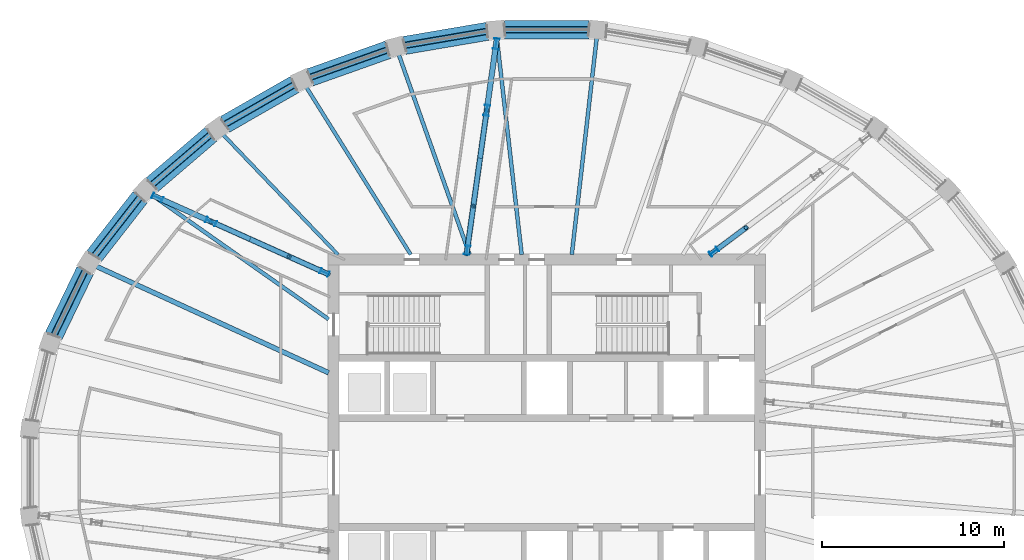
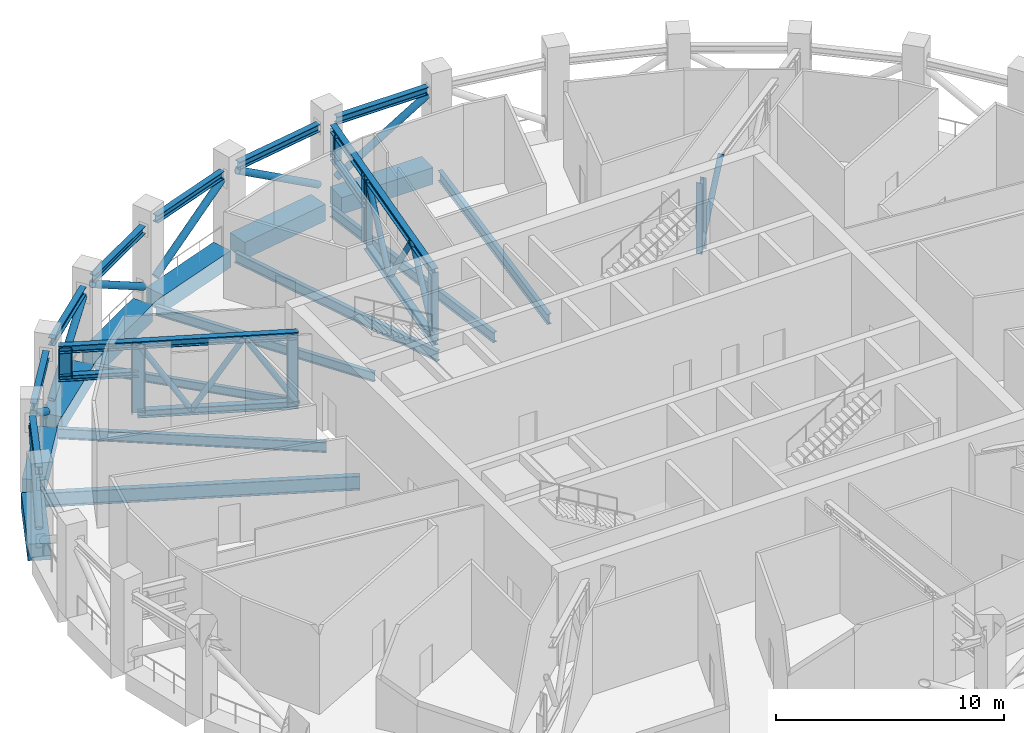
# One storey, part 5 of 20: 34 members, 14 beams.
"""IFC4 building model written with IfcOpenShell, lengths in metres."""

from ifc_helpers import new_model, si_unit, direction, frame, origin, origin_2d, place, context, subcontext, project, spatial, rectangle, hollow_circle, i_section, extrude, material, material_profile, profile_set, type_object, element, save


model = new_model("IFC4")

# Units and contexts
model_context = context("Model", 3, precision=1e-05, world=origin(), true_north=direction((0.0, 1.0)))
body_context = subcontext(model_context, "Body", "Model", "MODEL_VIEW")
ifc_project = project(units=[si_unit("LENGTHUNIT", "METRE"), si_unit("AREAUNIT", "SQUARE_METRE"), si_unit("VOLUMEUNIT", "CUBIC_METRE"), si_unit("PLANEANGLEUNIT", "RADIAN"), si_unit("MASSUNIT", "GRAM", prefix="KILO")], contexts=[model_context])

# Site, building, storey
site_placement = place(None, origin())
site = spatial("IfcSite", under=ifc_project, at=site_placement, CompositionType="ELEMENT")
building_placement = place(site_placement, origin())
building = spatial("IfcBuilding", under=site, at=building_placement, Name="Halqa Exchange Tower", CompositionType="ELEMENT")
storey_placement = place(building_placement, frame((0.0, 0.0, 328.300048828125)))
storey = spatial("IfcBuildingStorey", under=building, at=storey_placement, Name="L77", CompositionType="ELEMENT", Elevation=328.300048828125)

# Members
ifc_material_1 = material(Name="Steel S355", Category="steel")
ifc_material_profile_1 = material_profile(ifc_material_1, i_section(OverallWidth=0.300048828125, OverallDepth=0.39990234375, WebThickness=0.013427734375, FlangeThickness=0.02392578125, FilletRadius=0.027099609375, at=origin_2d()), Name="HEB 400")
ifc_profile_set_1 = profile_set([ifc_material_profile_1], Name="Steel S355")
member_type_1 = type_object("IfcMemberType", Name="Belt truss chord HEB 400", PredefinedType="CHORD", material=ifc_profile_set_1)
member_1_placement = place(storey_placement, frame((2.319580078125, 24.31103515625, 3.89990234375), z_axis=(-1.0, 0.0, 0.0), x_axis=(0.0, -1.0, 0.0)))
element("IfcMember", 1, at=member_1_placement, inside=storey, type_object=member_type_1, Name="Belt chord 8", PredefinedType="CHORD", context=body_context, shape_type="SweptSolid", body=[
    extrude(i_section(OverallWidth=0.300048828125, OverallDepth=0.39990234375, WebThickness=0.013427734375, FlangeThickness=0.02392578125, FilletRadius=0.027099609375, at=origin_2d()), origin(), (0.0, 0.0, 1.0), 4.63916015625),
])
member_2_placement = place(storey_placement, frame((-3.260986328125, 24.231201171875, 3.89990234375), z_axis=(-0.985773042695, -0.168081849987, 0.0), x_axis=(0.168081849987, -0.985773042695, 0.0)))
element("IfcMember", 2, at=member_2_placement, inside=storey, type_object=member_type_1, Name="Belt chord 9", PredefinedType="CHORD", context=body_context, shape_type="SweptSolid", body=[
    extrude(i_section(OverallWidth=0.300048828125, OverallDepth=0.39990234375, WebThickness=0.013427734375, FlangeThickness=0.02392578125, FilletRadius=0.027099609375, at=origin_2d()), origin(), (0.0, 0.0, 1.0), 4.6103515625),
])
member_3_placement = place(storey_placement, frame((-8.72021484375, 23.218017578125, 3.89990234375), z_axis=(-0.942357563156, -0.334607565908, 0.0), x_axis=(0.334607565908, -0.942357563156, 0.0)))
element("IfcMember", 3, at=member_3_placement, inside=storey, type_object=member_type_1, Name="Belt chord 10", PredefinedType="CHORD", context=body_context, shape_type="SweptSolid", body=[
    extrude(i_section(OverallWidth=0.300048828125, OverallDepth=0.39990234375, WebThickness=0.013427734375, FlangeThickness=0.02392578125, FilletRadius=0.027099609375, at=origin_2d()), origin(), (0.0, 0.0, 1.0), 4.528076171875),
])
member_4_placement = place(storey_placement, frame((-13.845458984375, 21.308837890625, 3.89990234375), z_axis=(-0.867758571209, -0.496985977764, 0.0), x_axis=(0.496985977764, -0.867758571209, 0.0)))
element("IfcMember", 4, at=member_4_placement, inside=storey, type_object=member_type_1, Name="Belt chord 11", PredefinedType="CHORD", context=body_context, shape_type="SweptSolid", body=[
    extrude(i_section(OverallWidth=0.300048828125, OverallDepth=0.39990234375, WebThickness=0.013427734375, FlangeThickness=0.02392578125, FilletRadius=0.027099609375, at=origin_2d()), origin(), (0.0, 0.0, 1.0), 4.406494140625),
])
member_5_placement = place(storey_placement, frame((-18.440185546875, 18.574951171875, 3.89990234375), z_axis=(-0.75928090671, -0.650763017315, 0.0), x_axis=(0.650763017315, -0.75928090671, 0.0)))
element("IfcMember", 5, at=member_5_placement, inside=storey, type_object=member_type_1, Name="Belt chord 12", PredefinedType="CHORD", context=body_context, shape_type="SweptSolid", body=[
    extrude(i_section(OverallWidth=0.300048828125, OverallDepth=0.39990234375, WebThickness=0.013427734375, FlangeThickness=0.02392578125, FilletRadius=0.027099609375, at=origin_2d()), origin(), (0.0, 0.0, 1.0), 4.25439453125),
])
member_6_placement = place(storey_placement, frame((-22.322998046875, 15.122314453125, 3.89990234375), z_axis=(-0.614855529737, -0.78863976412, 0.0), x_axis=(0.78863976412, -0.614855529737, 0.0)))
element("IfcMember", 6, at=member_6_placement, inside=storey, type_object=member_type_1, Name="Belt chord 13", PredefinedType="CHORD", context=body_context, shape_type="SweptSolid", body=[
    extrude(i_section(OverallWidth=0.300048828125, OverallDepth=0.39990234375, WebThickness=0.013427734375, FlangeThickness=0.02392578125, FilletRadius=0.027099609375, at=origin_2d()), origin(), (0.0, 0.0, 1.0), 4.099365234375),
])
member_7_placement = place(storey_placement, frame((-25.34130859375, 11.08837890625, 3.89990234375), z_axis=(-0.435102095342, -0.900381122986, 0.0), x_axis=(0.900381122986, -0.435102095342, 0.0)))
element("IfcMember", 7, at=member_7_placement, inside=storey, type_object=member_type_1, Name="Belt chord 14", PredefinedType="CHORD", context=body_context, shape_type="SweptSolid", body=[
    extrude(i_section(OverallWidth=0.300048828125, OverallDepth=0.39990234375, WebThickness=0.013427734375, FlangeThickness=0.02392578125, FilletRadius=0.027099609375, at=origin_2d()), origin(), (0.0, 0.0, 1.0), 3.96435546875),
])
ifc_material_profile_2 = material_profile(ifc_material_1, hollow_circle(Radius=0.177734375, WallThickness=0.02001953125, at=origin_2d()), Name="CHS 355.6x20")
ifc_profile_set_2 = profile_set([ifc_material_profile_2], Name="Steel S355")
member_type_2 = type_object("IfcMemberType", Name="Belt truss diagonal CHS 355.6x20", PredefinedType="BRACE", material=ifc_profile_set_2)
member_8_placement = place(storey_placement, frame((2.319091796875, 24.31103515625, 3.611328125), z_axis=(-0.854238494111, 0.0, -0.519881327977), x_axis=(0.0, -1.0, 0.0)))
element("IfcMember", 8, at=member_8_placement, inside=storey, type_object=member_type_2, Name="Belt diagonal 8", PredefinedType="BRACE", context=body_context, shape_type="SweptSolid", body=[
    extrude(hollow_circle(Radius=0.177734375, WallThickness=0.02001953125, at=origin_2d()), origin(), (0.0, 0.0, 1.0), 5.4296875),
])
member_9_placement = place(storey_placement, frame((-3.26123046875, 24.231201171875, 0.7900390625), z_axis=(-0.840929853299, -0.14336290697, 0.521808450234), x_axis=(0.16805670886, -0.98577732912, 0.0)))
element("IfcMember", 9, at=member_9_placement, inside=storey, type_object=member_type_2, Name="Belt diagonal 9", PredefinedType="BRACE", context=body_context, shape_type="SweptSolid", body=[
    extrude(hollow_circle(Radius=0.177734375, WallThickness=0.02001953125, at=origin_2d()), origin(), (0.0, 0.0, 1.0), 5.403564453125),
])
member_10_placement = place(storey_placement, frame((-8.71875, 23.218505859375, 3.6064453125), z_axis=(-0.80064623443, -0.284277479463, -0.527401101594), x_axis=(0.33459508249, -0.942361995612, 0.0)))
element("IfcMember", 10, at=member_10_placement, inside=storey, type_object=member_type_2, Name="Belt diagonal 10", PredefinedType="BRACE", context=body_context, shape_type="SweptSolid", body=[
    extrude(hollow_circle(Radius=0.177734375, WallThickness=0.02001953125, at=origin_2d()), origin(), (0.0, 0.0, 1.0), 5.333251953125),
])
member_11_placement = place(storey_placement, frame((-13.845947265625, 21.30859375, 0.80078125), z_axis=(-0.73252115506, -0.419499118497, 0.536128013603), x_axis=(0.49695638513, -0.867775518944, 0.0)))
element("IfcMember", 11, at=member_11_placement, inside=storey, type_object=member_type_2, Name="Belt diagonal 11", PredefinedType="BRACE", context=body_context, shape_type="SweptSolid", body=[
    extrude(hollow_circle(Radius=0.177734375, WallThickness=0.02001953125, at=origin_2d()), origin(), (0.0, 0.0, 1.0), 5.218505859375),
])
member_12_placement = place(storey_placement, frame((-18.44091796875, 18.574462890625, 3.589599609375), z_axis=(-0.635586053548, -0.544801769902, -0.547011334477), x_axis=(0.650800824184, -0.75924850164, 0.0)))
element("IfcMember", 12, at=member_12_placement, inside=storey, type_object=member_type_2, Name="Belt diagonal 12", PredefinedType="BRACE", context=body_context, shape_type="SweptSolid", body=[
    extrude(hollow_circle(Radius=0.177734375, WallThickness=0.02001953125, at=origin_2d()), origin(), (0.0, 0.0, 1.0), 5.082763671875),
])
member_13_placement = place(storey_placement, frame((-22.322509765625, 15.123291015625, 0.8193359375), z_axis=(-0.50993340575, -0.654174958089, 0.558590230768), x_axis=(0.788691154444, -0.614789608648, 0.0)))
element("IfcMember", 13, at=member_13_placement, inside=storey, type_object=member_type_2, Name="Belt diagonal 13", PredefinedType="BRACE", context=body_context, shape_type="SweptSolid", body=[
    extrude(hollow_circle(Radius=0.177734375, WallThickness=0.02001953125, at=origin_2d()), origin(), (0.0, 0.0, 1.0), 4.9423828125),
])
member_14_placement = place(storey_placement, frame((-25.341796875, 11.08740234375, 3.57080078125), z_axis=(-0.357783030939, -0.740434616264, -0.568988472475), x_axis=(0.900393591265, -0.435076293091, 0.0)))
element("IfcMember", 14, at=member_14_placement, inside=storey, type_object=member_type_2, Name="Belt diagonal 14", PredefinedType="BRACE", context=body_context, shape_type="SweptSolid", body=[
    extrude(hollow_circle(Radius=0.177734375, WallThickness=0.02001953125, at=origin_2d()), origin(), (0.0, 0.0, 1.0), 4.8203125),
])

# Beams
ifc_material_profile_3 = material_profile(ifc_material_1, i_section(OverallWidth=0.18994140625, OverallDepth=0.449951171875, WebThickness=0.009521484375, FlangeThickness=0.0146484375, FilletRadius=0.02099609375, at=origin_2d()), Name="IPE 450")
ifc_profile_set_3 = profile_set([ifc_material_profile_3], Name="Steel S355")
beam_type_1 = type_object("IfcBeamType", Name="Floor beam IPE 450", PredefinedType="BEAM", material=ifc_profile_set_3)
beam_1_placement = place(storey_placement, frame((-11.462890625, 11.97216796875, -0.574951171875), z_axis=(-0.6915759213, 0.722303776175, 0.0), x_axis=(-0.722303776175, -0.6915759213, 0.0)))
element("IfcBeam", 15, at=beam_1_placement, inside=storey, type_object=beam_type_1, Name="Radial beam 12", PredefinedType="BEAM", context=body_context, shape_type="SweptSolid", body=[
    extrude(i_section(OverallWidth=0.18994140625, OverallDepth=0.449951171875, WebThickness=0.009521484375, FlangeThickness=0.0146484375, FilletRadius=0.02099609375, at=origin_2d()), origin(), (0.0, 0.0, 1.0), 9.192626953125),
])
ifc_material_profile_4 = material_profile(ifc_material_1, i_section(OverallWidth=0.199951171875, OverallDepth=0.5, WebThickness=0.01025390625, FlangeThickness=0.01611328125, FilletRadius=0.02099609375, at=origin_2d()), Name="IPE 500")
ifc_profile_set_4 = profile_set([ifc_material_profile_4], Name="Steel S355")
beam_type_2 = type_object("IfcBeamType", Name="Floor beam IPE 500", PredefinedType="BEAM", material=ifc_profile_set_4)
beam_2_placement = place(storey_placement, frame((-7.4658203125, 11.97216796875, -0.60009765625), z_axis=(-0.529137326003, 0.848536204431, 0.0), x_axis=(-0.848536204431, -0.529137326003, 0.0)))
element("IfcBeam", 16, at=beam_2_placement, inside=storey, type_object=beam_type_2, Name="Radial beam 11", PredefinedType="BEAM", context=body_context, shape_type="SweptSolid", body=[
    extrude(i_section(OverallWidth=0.199951171875, OverallDepth=0.5, WebThickness=0.01025390625, FlangeThickness=0.01611328125, FilletRadius=0.02099609375, at=origin_2d()), origin(), (0.0, 0.0, 1.0), 10.904541015625),
])
ifc_material_profile_5 = material_profile(ifc_material_1, i_section(OverallWidth=0.2099609375, OverallDepth=0.550048828125, WebThickness=0.010986328125, FlangeThickness=0.01708984375, FilletRadius=0.02392578125, at=origin_2d()), Name="IPE 550")
ifc_profile_set_5 = profile_set([ifc_material_profile_5], Name="Steel S355")
beam_type_3 = type_object("IfcBeamType", Name="Floor beam IPE 550", PredefinedType="BEAM", material=ifc_profile_set_5)
for number, where, z_axis, x_axis, name in (
    (17, (1.37548828125, 11.9716796875, -0.625), (0.114162628095, 0.993462074941, 0.0), (-0.993462074941, 0.114162628095, 0.0), "Radial beam 8"),
    (18, (-1.37548828125, 11.9716796875, -0.625), (-0.114162628095, 0.993462074941, 0.0), (-0.993462074941, -0.114162628095, 0.0), "Radial beam 9"),
):
    element("IfcBeam", number, at=place(storey_placement, frame(where, z_axis=z_axis, x_axis=x_axis)), inside=storey, type_object=beam_type_3, Name=name, PredefinedType="BEAM", context=body_context, shape_type="SweptSolid", body=[
        extrude(i_section(OverallWidth=0.2099609375, OverallDepth=0.550048828125, WebThickness=0.010986328125, FlangeThickness=0.01708984375, FilletRadius=0.02392578125, at=origin_2d()), origin(), (0.0, 0.0, 1.0), 12.048583984375),
    ])
beam_3_placement = place(storey_placement, frame((-4.23681640625, 11.971923828125, -0.625), z_axis=(-0.333622781905, 0.942706656067, 0.0), x_axis=(-0.942706656067, -0.333622781905, 0.0)))
element("IfcBeam", 19, at=beam_3_placement, inside=storey, type_object=beam_type_3, Name="Radial beam 10", PredefinedType="BEAM", context=body_context, shape_type="SweptSolid", body=[
    extrude(i_section(OverallWidth=0.2099609375, OverallDepth=0.550048828125, WebThickness=0.010986328125, FlangeThickness=0.01708984375, FilletRadius=0.02392578125, at=origin_2d()), origin(), (0.0, 0.0, 1.0), 11.723876953125),
])
beam_4_placement = place(storey_placement, frame((-11.97265625, 8.422119140625, -0.625), z_axis=(-0.817914568296, 0.57533969007, 0.0), x_axis=(-0.57533969007, -0.817914568296, 0.0)))
element("IfcBeam", 20, at=beam_4_placement, inside=storey, type_object=beam_type_3, Name="Radial beam 13", PredefinedType="BEAM", context=body_context, shape_type="SweptSolid", body=[
    extrude(i_section(OverallWidth=0.2099609375, OverallDepth=0.550048828125, WebThickness=0.010986328125, FlangeThickness=0.01708984375, FilletRadius=0.02392578125, at=origin_2d()), origin(), (0.0, 0.0, 1.0), 11.92138671875),
])
ifc_material_profile_6 = material_profile(ifc_material_1, i_section(OverallWidth=0.264892578125, OverallDepth=0.7529296875, WebThickness=0.01318359375, FlangeThickness=0.01708984375, FilletRadius=0.01708984375, at=origin_2d()), Name="IPE 750x147")
ifc_profile_set_6 = profile_set([ifc_material_profile_6], Name="Steel S355")
beam_type_4 = type_object("IfcBeamType", Name="Floor beam IPE 750x147", PredefinedType="BEAM", material=ifc_profile_set_6)
beam_5_placement = place(storey_placement, frame((-11.972412109375, 5.485107421875, -0.7265625), z_axis=(-0.909126834486, 0.416519385884, 0.0), x_axis=(-0.416519385884, -0.909126834486, 0.0)))
element("IfcBeam", 21, at=beam_5_placement, inside=storey, type_object=beam_type_4, Name="Radial beam 14", PredefinedType="BEAM", context=body_context, shape_type="SweptSolid", body=[
    extrude(i_section(OverallWidth=0.264892578125, OverallDepth=0.7529296875, WebThickness=0.01318359375, FlangeThickness=0.01708984375, FilletRadius=0.01708984375, at=origin_2d()), origin(), (0.0, 0.0, 1.0), 14.10205078125),
])

# Members
ifc_material_profile_7 = material_profile(ifc_material_1, i_section(OverallWidth=0.300048828125, OverallDepth=0.39990234375, WebThickness=0.013427734375, FlangeThickness=0.02392578125, FilletRadius=0.027099609375, at=origin_2d()), Name="HEB 400")
ifc_profile_set_7 = profile_set([ifc_material_profile_7], Name="Steel S355")
member_type_3 = type_object("IfcMemberType", Name="Outrigger chord HEB 400", PredefinedType="CHORD", material=ifc_profile_set_7)
member_15_placement = place(storey_placement, frame((-4.40380859375, 11.973388671875, 0.199951171875), z_axis=(0.138874002875, 0.990310058177, 0.0), x_axis=(-0.990310058177, 0.138874002875, 0.0)))
element("IfcMember", 22, at=member_15_placement, inside=storey, type_object=member_type_3, Name="Outrigger 3 chord", PredefinedType="CHORD", context=body_context, shape_type="SweptSolid", body=[
    extrude(i_section(OverallWidth=0.300048828125, OverallDepth=0.39990234375, WebThickness=0.013427734375, FlangeThickness=0.02392578125, FilletRadius=0.027099609375, at=origin_2d()), origin(), (0.0, 0.0, 1.0), 8.025390625),
])
member_16_placement = place(storey_placement, frame((-4.40380859375, 11.973388671875, 3.89990234375), z_axis=(0.138879619364, 0.990309270544, 0.0), x_axis=(-0.990309270544, 0.138879619364, 0.0)))
element("IfcMember", 23, at=member_16_placement, inside=storey, type_object=member_type_3, Name="Outrigger 3 chord", PredefinedType="CHORD", context=body_context, shape_type="SweptSolid", body=[
    extrude(i_section(OverallWidth=0.300048828125, OverallDepth=0.39990234375, WebThickness=0.013427734375, FlangeThickness=0.02392578125, FilletRadius=0.027099609375, at=origin_2d()), origin(), (0.0, 0.0, 1.0), 11.98388671875),
])
member_17_placement = place(storey_placement, frame((-11.975341796875, 10.888916015625, 0.199951171875), z_axis=(-0.912438055598, 0.40921485151, 0.0), x_axis=(-0.40921485151, -0.912438055598, 0.0)))
element("IfcMember", 24, at=member_17_placement, inside=storey, type_object=member_type_3, Name="Outrigger 4 chord", PredefinedType="CHORD", context=body_context, shape_type="SweptSolid", body=[
    extrude(i_section(OverallWidth=0.300048828125, OverallDepth=0.39990234375, WebThickness=0.013427734375, FlangeThickness=0.02392578125, FilletRadius=0.027099609375, at=origin_2d()), origin(), (0.0, 0.0, 1.0), 7.100341796875),
])
member_18_placement = place(storey_placement, frame((-11.975341796875, 10.888916015625, 3.89990234375), z_axis=(-0.912437247056, 0.409216654335, 0.0), x_axis=(-0.409216654335, -0.912437247056, 0.0)))
element("IfcMember", 25, at=member_18_placement, inside=storey, type_object=member_type_3, Name="Outrigger 4 chord", PredefinedType="CHORD", context=body_context, shape_type="SweptSolid", body=[
    extrude(i_section(OverallWidth=0.300048828125, OverallDepth=0.39990234375, WebThickness=0.013427734375, FlangeThickness=0.02392578125, FilletRadius=0.027099609375, at=origin_2d()), origin(), (0.0, 0.0, 1.0), 10.59619140625),
])
ifc_material_profile_8 = material_profile(ifc_material_1, hollow_circle(Radius=0.136474609375, WallThickness=0.01611328125, at=origin_2d()), Name="CHS 273x16")
ifc_profile_set_8 = profile_set([ifc_material_profile_8], Name="Steel S355")
member_type_4 = type_object("IfcMemberType", Name="Outrigger diagonal CHS 273x16", PredefinedType="BRACE", material=ifc_profile_set_8)
member_19_placement = place(storey_placement, frame((9.0, 12.0, 0.199951171875), z_axis=(0.431308030673, 0.322384752436, 0.842639575426), x_axis=(-0.598696248139, 0.80097615599, 0.0)))
element("IfcMember", 26, at=member_19_placement, inside=storey, type_object=member_type_4, Name="Outrigger 2 diagonal", PredefinedType="BRACE", context=body_context, shape_type="SweptSolid", body=[
    extrude(hollow_circle(Radius=0.136474609375, WallThickness=0.01611328125, at=origin_2d()), origin(), (0.0, 0.0, 1.0), 4.509765625),
])
for number, where, z_axis, x_axis, name in (
    (27, (-4.39990234375, 12.0, 0.199951171875), (0.08098385778, 0.577659840606, 0.81225040679), (-0.990315486935, 0.13883528491, 0.0), "Outrigger 3 diagonal"),
    (28, (-4.031005859375, 14.63134765625, 3.89990234375), (0.08098385778, 0.577659840606, -0.81225040679), (-0.990315486935, 0.13883528491, 0.0), "Outrigger 3 diagonal"),
    (29, (-3.662109375, 17.2626953125, 0.199951171875), (0.081037102129, 0.577657332502, 0.812246880133), (-0.990302849929, 0.138925395165, 0.0), "Outrigger 3 diagonal"),
):
    element("IfcMember", number, at=place(storey_placement, frame(where, z_axis=z_axis, x_axis=x_axis)), inside=storey, type_object=member_type_4, Name=name, PredefinedType="BRACE", context=body_context, shape_type="SweptSolid", body=[
        extrude(hollow_circle(Radius=0.136474609375, WallThickness=0.01611328125, at=origin_2d()), origin(), (0.0, 0.0, 1.0), 4.55517578125),
    ])
for number, where, z_axis, x_axis, name in (
    (30, (-12.0, 10.89990234375, 0.199951171875), (-0.489006267232, 0.219323043301, 0.844257231704), (-0.409231985706, -0.912430370974, 0.0), "Outrigger 4 diagonal"),
    (31, (-14.14306640625, 11.861083984375, 3.89990234375), (-0.489006267232, 0.219323043301, -0.844257231704), (-0.409231985706, -0.912430370974, 0.0), "Outrigger 4 diagonal"),
    (32, (-16.2861328125, 12.822265625, 0.199951171875), (-0.489006267232, 0.219323043301, 0.844257231704), (-0.409231985706, -0.912430370974, 0.0), "Outrigger 4 diagonal"),
):
    element("IfcMember", number, at=place(storey_placement, frame(where, z_axis=z_axis, x_axis=x_axis)), inside=storey, type_object=member_type_4, Name=name, PredefinedType="BRACE", context=body_context, shape_type="SweptSolid", body=[
        extrude(hollow_circle(Radius=0.136474609375, WallThickness=0.01611328125, at=origin_2d()), origin(), (0.0, 0.0, 1.0), 4.382568359375),
    ])
ifc_material_profile_9 = material_profile(ifc_material_1, i_section(OverallWidth=0.300048828125, OverallDepth=0.300048828125, WebThickness=0.010986328125, FlangeThickness=0.01904296875, FilletRadius=0.027099609375, at=origin_2d()), Name="HEB 300")
ifc_profile_set_9 = profile_set([ifc_material_profile_9], Name="Steel S355")
member_type_5 = type_object("IfcMemberType", Name="Outrigger opening chord HEB 300", PredefinedType="CHORD", material=ifc_profile_set_9)
member_20_placement = place(storey_placement, frame((-3.29296875, 19.89404296875, 2.349853515625), z_axis=(0.138865322045, 0.990311275475, 0.0), x_axis=(-0.990311275475, 0.138865322045, 0.0)))
element("IfcMember", 33, at=member_20_placement, inside=storey, type_object=member_type_5, Name="Outrigger 3 opening chord", PredefinedType="CHORD", context=body_context, shape_type="SweptSolid", body=[
    extrude(i_section(OverallWidth=0.300048828125, OverallDepth=0.300048828125, WebThickness=0.010986328125, FlangeThickness=0.01904296875, FilletRadius=0.027099609375, at=origin_2d()), origin(), (0.0, 0.0, 1.0), 3.985595703125),
])
member_21_placement = place(storey_placement, frame((-18.42919921875, 13.783447265625, 2.349853515625), z_axis=(-0.912443308256, 0.409203139307, 0.0), x_axis=(-0.409203139307, -0.912443308256, 0.0)))
element("IfcMember", 34, at=member_21_placement, inside=storey, type_object=member_type_5, Name="Outrigger 4 opening chord", PredefinedType="CHORD", context=body_context, shape_type="SweptSolid", body=[
    extrude(i_section(OverallWidth=0.300048828125, OverallDepth=0.300048828125, WebThickness=0.010986328125, FlangeThickness=0.01904296875, FilletRadius=0.027099609375, at=origin_2d()), origin(), (0.0, 0.0, 1.0), 3.52294921875),
])
ifc_material_profile_10 = material_profile(ifc_material_1, i_section(OverallWidth=0.300048828125, OverallDepth=0.5, WebThickness=0.014404296875, FlangeThickness=0.028076171875, FilletRadius=0.027099609375, at=origin_2d()), Name="HEB 500")
ifc_profile_set_10 = profile_set([ifc_material_profile_10], Name="Steel S355")
member_type_6 = type_object("IfcMemberType", Name="Outrigger post HEB 500", PredefinedType="POST", material=ifc_profile_set_10)
member_22_placement = place(storey_placement, frame((9.1787109375, 12.133544921875, 0.199951171875), z_axis=(0.0, 0.0, 1.0), x_axis=(-0.598324600571, 0.801253812691, 0.0)))
element("IfcMember", 35, at=member_22_placement, inside=storey, type_object=member_type_6, Name="Outrigger 2 post", PredefinedType="POST", context=body_context, shape_type="SweptSolid", body=[
    extrude(i_section(OverallWidth=0.300048828125, OverallDepth=0.5, WebThickness=0.014404296875, FlangeThickness=0.028076171875, FilletRadius=0.027099609375, at=origin_2d()), origin(), (0.0, 0.0, 1.0), 3.800048828125),
])
for number, where, z_axis, x_axis, name in (
    (36, (-4.368896484375, 12.220703125, 0.199951171875), (0.0, 0.0, 1.0), (-0.990231599373, 0.139432347762, 0.0), "Outrigger 3 post"),
    (37, (-12.20361328125, 10.9912109375, 0.199951171875), (0.0, 0.0, 1.0), (-0.408776506539, -0.912634520332, 0.0), "Outrigger 4 post"),
):
    element("IfcMember", number, at=place(storey_placement, frame(where, z_axis=z_axis, x_axis=x_axis)), inside=storey, type_object=member_type_6, Name=name, PredefinedType="POST", context=body_context, shape_type="SweptSolid", body=[
        extrude(i_section(OverallWidth=0.300048828125, OverallDepth=0.5, WebThickness=0.014404296875, FlangeThickness=0.028076171875, FilletRadius=0.027099609375, at=origin_2d()), origin(), (0.0, 0.0, 1.0), 3.699951171875),
    ])
ifc_material_profile_11 = material_profile(ifc_material_1, i_section(OverallWidth=0.300048828125, OverallDepth=0.60009765625, WebThickness=0.015380859375, FlangeThickness=0.030029296875, FilletRadius=0.027099609375, at=origin_2d()), Name="HEB 600")
ifc_profile_set_11 = profile_set([ifc_material_profile_11], Name="Steel S355")
member_type_7 = type_object("IfcMemberType", Name="Outrigger post HEB 600", PredefinedType="POST", material=ifc_profile_set_11)
member_23_placement = place(storey_placement, frame((-3.29296875, 19.89404296875, 0.199951171875), z_axis=(0.0, 0.0, 1.0), x_axis=(-0.990231599373, 0.139432347762, 0.0)))
element("IfcMember", 38, at=member_23_placement, inside=storey, type_object=member_type_7, Name="Outrigger 3 post", PredefinedType="POST", context=body_context, shape_type="SweptSolid", body=[
    extrude(i_section(OverallWidth=0.300048828125, OverallDepth=0.60009765625, WebThickness=0.015380859375, FlangeThickness=0.030029296875, FilletRadius=0.027099609375, at=origin_2d()), origin(), (0.0, 0.0, 1.0), 3.699951171875),
])
member_24_placement = place(storey_placement, frame((-2.78125, 23.5439453125, 2.349853515625), z_axis=(0.0, 0.0, 1.0), x_axis=(-0.990231599373, 0.139432347762, 0.0)))
element("IfcMember", 39, at=member_24_placement, inside=storey, type_object=member_type_7, Name="Outrigger 3 post", PredefinedType="POST", context=body_context, shape_type="SweptSolid", body=[
    extrude(i_section(OverallWidth=0.300048828125, OverallDepth=0.60009765625, WebThickness=0.015380859375, FlangeThickness=0.030029296875, FilletRadius=0.027099609375, at=origin_2d()), origin(), (0.0, 0.0, 1.0), 1.550048828125),
])
member_25_placement = place(storey_placement, frame((-18.42919921875, 13.783447265625, 0.199951171875), z_axis=(0.0, 0.0, 1.0), x_axis=(-0.408776506539, -0.912634520332, 0.0)))
element("IfcMember", 40, at=member_25_placement, inside=storey, type_object=member_type_7, Name="Outrigger 4 post", PredefinedType="POST", context=body_context, shape_type="SweptSolid", body=[
    extrude(i_section(OverallWidth=0.300048828125, OverallDepth=0.60009765625, WebThickness=0.015380859375, FlangeThickness=0.030029296875, FilletRadius=0.027099609375, at=origin_2d()), origin(), (0.0, 0.0, 1.0), 3.699951171875),
])
member_26_placement = place(storey_placement, frame((-21.3701171875, 15.102294921875, 2.349853515625), z_axis=(0.0, 0.0, 1.0), x_axis=(-0.408776506539, -0.912634520332, 0.0)))
element("IfcMember", 41, at=member_26_placement, inside=storey, type_object=member_type_7, Name="Outrigger 4 post", PredefinedType="POST", context=body_context, shape_type="SweptSolid", body=[
    extrude(i_section(OverallWidth=0.300048828125, OverallDepth=0.60009765625, WebThickness=0.015380859375, FlangeThickness=0.030029296875, FilletRadius=0.027099609375, at=origin_2d()), origin(), (0.0, 0.0, 1.0), 1.550048828125),
])

# Beams
ifc_material_2 = material(Name="Concrete C60/75", Category="concrete")
ifc_material_profile_12 = material_profile(ifc_material_2, rectangle(XDim=1.0, YDim=0.89990234375, at=origin_2d()), Name="1000 x 900")
ifc_profile_set_12 = profile_set([ifc_material_profile_12], Name="Concrete C60/75")
beam_type_5 = type_object("IfcBeamType", Name="RC spandrel beam 1000 x 900 C60/75", PredefinedType="SPANDREL", material=ifc_profile_set_12)
beam_6_placement = place(storey_placement, frame((2.319580078125, 24.31103515625, -0.449951171875), z_axis=(-1.0, 0.0, 0.0), x_axis=(0.0, -1.0, 0.0)))
element("IfcBeam", 42, at=beam_6_placement, inside=storey, type_object=beam_type_5, Name="Spandrel 8", PredefinedType="SPANDREL", context=body_context, shape_type="SweptSolid", body=[
    extrude(rectangle(XDim=1.0, YDim=0.89990234375, at=origin_2d()), origin(), (0.0, 0.0, 1.0), 4.63916015625),
])
beam_7_placement = place(storey_placement, frame((-3.2607421875, 24.231201171875, -0.449951171875), z_axis=(-0.985773042695, -0.168081849987, 0.0), x_axis=(0.168081849987, -0.985773042695, 0.0)))
element("IfcBeam", 43, at=beam_7_placement, inside=storey, type_object=beam_type_5, Name="Spandrel 9", PredefinedType="SPANDREL", context=body_context, shape_type="SweptSolid", body=[
    extrude(rectangle(XDim=1.0, YDim=0.89990234375, at=origin_2d()), origin(), (0.0, 0.0, 1.0), 4.6103515625),
])
beam_8_placement = place(storey_placement, frame((-8.718994140625, 23.218505859375, -0.449951171875), z_axis=(-0.94236088808, -0.334598201755, 0.0), x_axis=(0.334598201755, -0.94236088808, 0.0)))
element("IfcBeam", 44, at=beam_8_placement, inside=storey, type_object=beam_type_5, Name="Spandrel 10", PredefinedType="SPANDREL", context=body_context, shape_type="SweptSolid", body=[
    extrude(rectangle(XDim=1.0, YDim=0.89990234375, at=origin_2d()), origin(), (0.0, 0.0, 1.0), 4.530517578125),
])
beam_9_placement = place(storey_placement, frame((-13.8466796875, 21.30810546875, -0.449951171875), z_axis=(-0.86778573249, -0.49693855001, 0.0), x_axis=(0.49693855001, -0.86778573249, 0.0)))
element("IfcBeam", 45, at=beam_9_placement, inside=storey, type_object=beam_type_5, Name="Spandrel 11", PredefinedType="SPANDREL", context=body_context, shape_type="SweptSolid", body=[
    extrude(rectangle(XDim=1.0, YDim=0.89990234375, at=origin_2d()), origin(), (0.0, 0.0, 1.0), 4.40478515625),
])
beam_10_placement = place(storey_placement, frame((-18.44091796875, 18.574462890625, -0.449951171875), z_axis=(-0.759232294843, -0.65081973116, 0.0), x_axis=(0.65081973116, -0.759232294843, 0.0)))
element("IfcBeam", 46, at=beam_10_placement, inside=storey, type_object=beam_type_5, Name="Spandrel 12", PredefinedType="SPANDREL", context=body_context, shape_type="SweptSolid", body=[
    extrude(rectangle(XDim=1.0, YDim=0.89990234375, at=origin_2d()), origin(), (0.0, 0.0, 1.0), 4.25390625),
])
beam_11_placement = place(storey_placement, frame((-22.322021484375, 15.123779296875, -0.449951171875), z_axis=(-0.61480594236, -0.788678421943, 0.0), x_axis=(0.788678421943, -0.61480594236, 0.0)))
element("IfcBeam", 47, at=beam_11_placement, inside=storey, type_object=beam_type_5, Name="Spandrel 13", PredefinedType="SPANDREL", context=body_context, shape_type="SweptSolid", body=[
    extrude(rectangle(XDim=1.0, YDim=0.89990234375, at=origin_2d()), origin(), (0.0, 0.0, 1.0), 4.10009765625),
])
beam_12_placement = place(storey_placement, frame((-25.34130859375, 11.088623046875, -0.449951171875), z_axis=(-0.43505216676, -0.900405248873, 0.0), x_axis=(0.900405248873, -0.43505216676, 0.0)))
element("IfcBeam", 48, at=beam_12_placement, inside=storey, type_object=beam_type_5, Name="Spandrel 14", PredefinedType="SPANDREL", context=body_context, shape_type="SweptSolid", body=[
    extrude(rectangle(XDim=1.0, YDim=0.89990234375, at=origin_2d()), origin(), (0.0, 0.0, 1.0), 3.964111328125),
])

save(model, "model.ifc")
